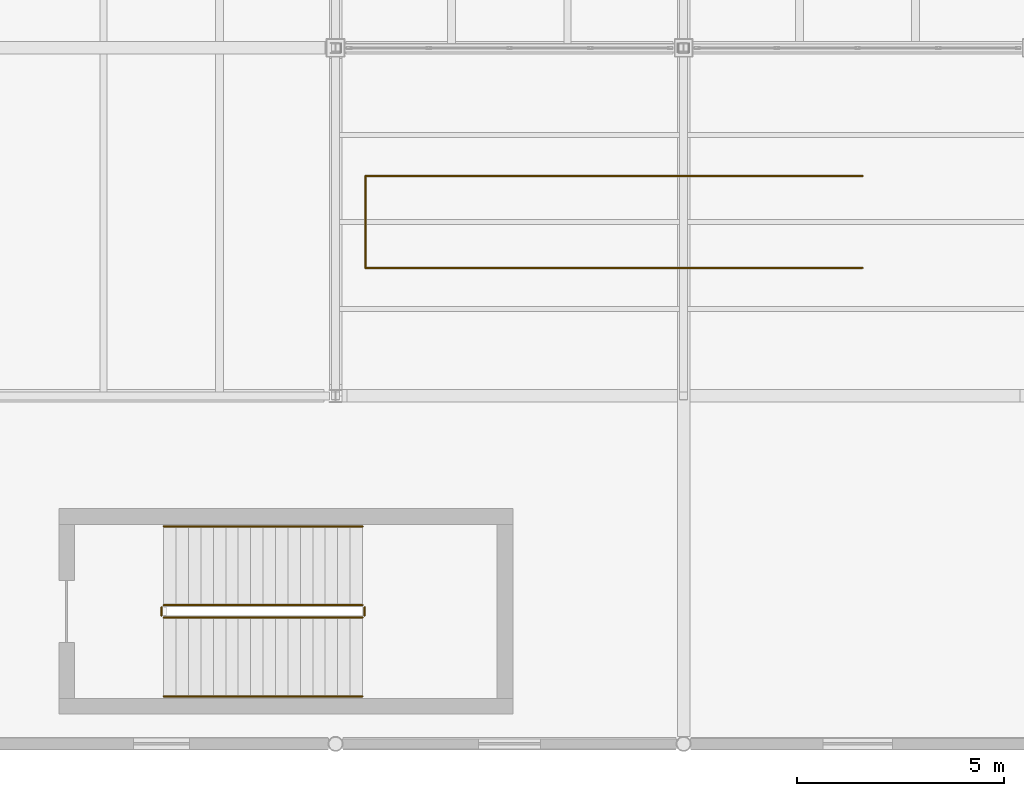
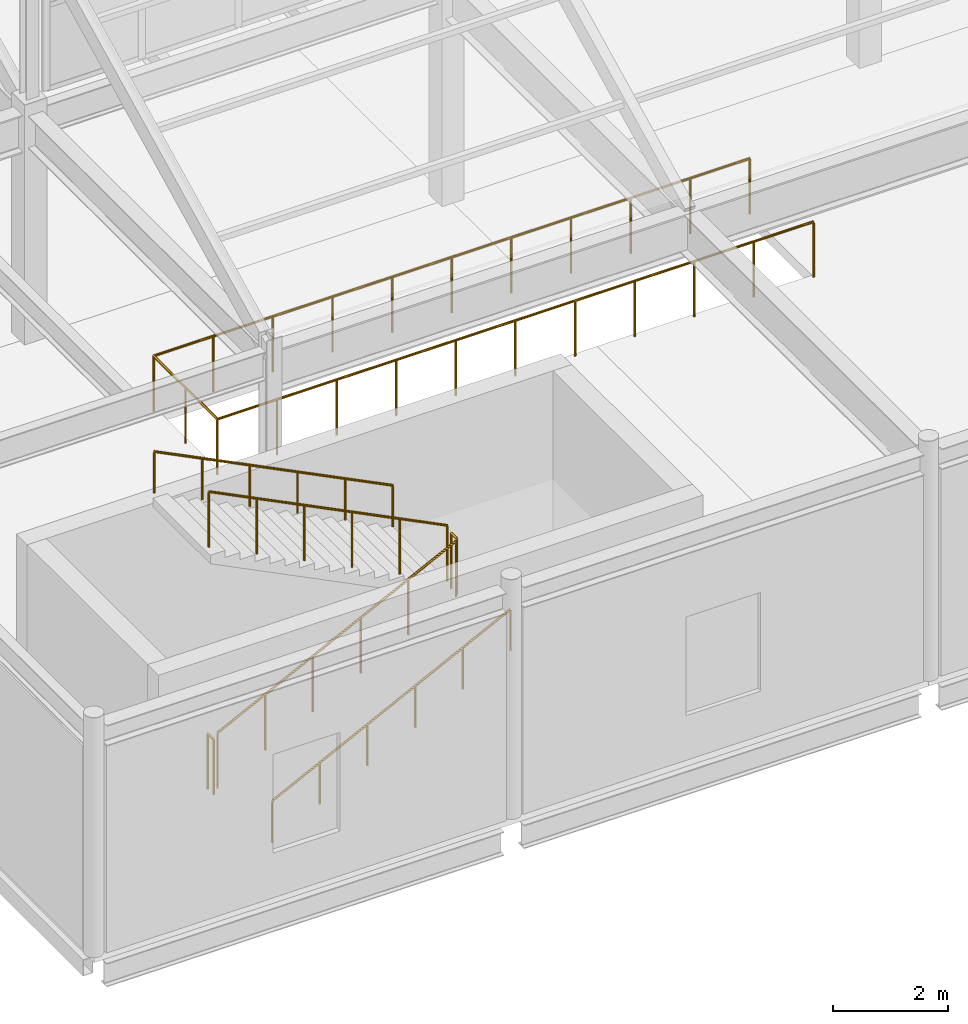
# One storey, part 82 of 91: 7 railings.
"""IFC4 building model written with IfcOpenShell, lengths in metres."""

from ifc_helpers import new_model, si_unit, direction, frame, origin, origin_2d, place, context, subcontext, project, spatial, circle, extrude, material, type_object, element, save


model = new_model("IFC4")

# Units and contexts
model_context = context("Model", 3, precision=1e-05, world=origin(), true_north=direction((0.0, 1.0)))
body_context = subcontext(model_context, "Body", "Model", "MODEL_VIEW")
ifc_project = project(units=[si_unit("LENGTHUNIT", "METRE"), si_unit("AREAUNIT", "SQUARE_METRE"), si_unit("VOLUMEUNIT", "CUBIC_METRE"), si_unit("PLANEANGLEUNIT", "RADIAN"), si_unit("MASSUNIT", "GRAM", prefix="KILO"), si_unit("THERMODYNAMICTEMPERATUREUNIT", "KELVIN")], contexts=[model_context])

# Site, building, storey
site_placement = place(None, origin())
site = spatial("IfcSite", under=ifc_project, at=site_placement, CompositionType="ELEMENT")
building_placement = place(site_placement, origin())
building = spatial("IfcBuilding", under=site, at=building_placement, Name="Lustrewick Department Store", CompositionType="ELEMENT")
storey_placement = place(building_placement, frame((0.0, 0.0, 21.60009765625)))
storey = spatial("IfcBuildingStorey", under=building, at=storey_placement, Name="L05", CompositionType="ELEMENT", Elevation=21.60009765625)

# Railings
ifc_material_1 = material(Name="Laminated safety glass and bronze atrium balustrade", Category="glass")
railing_type_1 = type_object("IfcRailingType", Name="RL-BAL", PredefinedType="BALUSTRADE", material=ifc_material_1)
railing_1_placement = place(storey_placement, frame((138.719970703125, 28.2900390625, 0.0)))
element("IfcRailing", 1, at=railing_1_placement, inside=storey, type_object=railing_type_1, Name="L05 Feature Stair AST04 Well Balustrade", PredefinedType="BALUSTRADE", context=body_context, shape_type="SweptSolid", body=[
    extrude(circle(Radius=0.02392578125, at=origin_2d()), frame((0.0, 0.0, 1.17578125), z_axis=(-1.0, 0.0, 0.0), x_axis=(0.0, -1.0, 0.0)), (0.0, 0.0, 1.0), 12.0),
    extrude(circle(Radius=0.02392578125, at=origin_2d()), frame((-12.0, 0.0, 1.17578125), z_axis=(0.0, 1.0, 0.0), x_axis=(-1.0, 0.0, 0.0)), (0.0, 0.0, 1.0), 2.219970703125),
    extrude(circle(Radius=0.02392578125, at=origin_2d()), frame((-12.0, 2.219970703125, 1.17578125), z_axis=(1.0, 0.0, 0.0), x_axis=(0.0, 1.0, 0.0)), (0.0, 0.0, 1.0), 12.0),
    extrude(circle(Radius=0.02099609375, at=origin_2d()), origin(), (0.0, 0.0, 1.0), 1.15185546875),
    extrude(circle(Radius=0.02099609375, at=origin_2d()), frame((-1.199951171875, 0.0, 0.0)), (0.0, 0.0, 1.0), 1.15185546875),
    extrude(circle(Radius=0.02099609375, at=origin_2d()), frame((-2.39990234375, 0.0, 0.0)), (0.0, 0.0, 1.0), 1.15185546875),
    extrude(circle(Radius=0.02099609375, at=origin_2d()), frame((-3.60009765625, 0.0, 0.0)), (0.0, 0.0, 1.0), 1.15185546875),
    extrude(circle(Radius=0.02099609375, at=origin_2d()), frame((-4.800048828125, 0.0, 0.0)), (0.0, 0.0, 1.0), 1.15185546875),
    extrude(circle(Radius=0.02099609375, at=origin_2d()), frame((-6.0, 0.0, 0.0)), (0.0, 0.0, 1.0), 1.15185546875),
    extrude(circle(Radius=0.02099609375, at=origin_2d()), frame((-7.199951171875, 0.0, 0.0)), (0.0, 0.0, 1.0), 1.15185546875),
    extrude(circle(Radius=0.02099609375, at=origin_2d()), frame((-8.39990234375, 0.0, 0.0)), (0.0, 0.0, 1.0), 1.15185546875),
    extrude(circle(Radius=0.02099609375, at=origin_2d()), frame((-9.60009765625, 0.0, 0.0)), (0.0, 0.0, 1.0), 1.15185546875),
    extrude(circle(Radius=0.02099609375, at=origin_2d()), frame((-10.800048828125, 0.0, 0.0)), (0.0, 0.0, 1.0), 1.15185546875),
    extrude(circle(Radius=0.02099609375, at=origin_2d()), frame((-12.0, 0.0, 0.0)), (0.0, 0.0, 1.0), 1.15185546875),
    extrude(circle(Radius=0.02099609375, at=origin_2d()), frame((-12.0, 1.10986328125, 0.0)), (0.0, 0.0, 1.0), 1.15185546875),
    extrude(circle(Radius=0.02099609375, at=origin_2d()), frame((-12.0, 2.219970703125, 0.0)), (0.0, 0.0, 1.0), 1.15185546875),
    extrude(circle(Radius=0.02099609375, at=origin_2d()), frame((-10.800048828125, 2.219970703125, 0.0)), (0.0, 0.0, 1.0), 1.15185546875),
    extrude(circle(Radius=0.02099609375, at=origin_2d()), frame((-9.60009765625, 2.219970703125, 0.0)), (0.0, 0.0, 1.0), 1.15185546875),
    extrude(circle(Radius=0.02099609375, at=origin_2d()), frame((-8.39990234375, 2.219970703125, 0.0)), (0.0, 0.0, 1.0), 1.15185546875),
    extrude(circle(Radius=0.02099609375, at=origin_2d()), frame((-7.199951171875, 2.219970703125, 0.0)), (0.0, 0.0, 1.0), 1.15185546875),
    extrude(circle(Radius=0.02099609375, at=origin_2d()), frame((-6.0, 2.219970703125, 0.0)), (0.0, 0.0, 1.0), 1.15185546875),
    extrude(circle(Radius=0.02099609375, at=origin_2d()), frame((-4.800048828125, 2.219970703125, 0.0)), (0.0, 0.0, 1.0), 1.15185546875),
    extrude(circle(Radius=0.02099609375, at=origin_2d()), frame((-3.60009765625, 2.219970703125, 0.0)), (0.0, 0.0, 1.0), 1.15185546875),
    extrude(circle(Radius=0.02099609375, at=origin_2d()), frame((-2.39990234375, 2.219970703125, 0.0)), (0.0, 0.0, 1.0), 1.15185546875),
    extrude(circle(Radius=0.02099609375, at=origin_2d()), frame((-1.199951171875, 2.219970703125, 0.0)), (0.0, 0.0, 1.0), 1.15185546875),
    extrude(circle(Radius=0.02099609375, at=origin_2d()), frame((0.0, 2.219970703125, 0.0)), (0.0, 0.0, 1.0), 1.15185546875),
])
ifc_material_2 = material(Name="Painted tubular steel stairwell guardrail", Category="steel")
railing_type_2 = type_object("IfcRailingType", Name="RL-STG", PredefinedType="GUARDRAIL", material=ifc_material_2)
railing_2_placement = place(storey_placement, frame((121.85009765625, 19.85009765625, 0.14990234375)))
element("IfcRailing", 2, at=railing_2_placement, inside=storey, type_object=railing_type_2, Name="L05 ST07 Stair Guard 1", PredefinedType="GUARDRAIL", context=body_context, shape_type="SweptSolid", body=[
    extrude(circle(Radius=0.02392578125, at=origin_2d()), frame((0.0, 0.0, 1.17578125), z_axis=(0.894427191, 0.0, 0.4472135955), x_axis=(0.0, 1.0, 0.0)), (0.0, 0.0, 1.0), 5.366455078125),
    extrude(circle(Radius=0.02099609375, at=origin_2d()), origin(), (0.0, 0.0, 1.0), 1.15185546875),
    extrude(circle(Radius=0.02099609375, at=origin_2d()), frame((0.9599609375, 0.0, 0.47998046875)), (0.0, 0.0, 1.0), 1.15185546875),
    extrude(circle(Radius=0.02099609375, at=origin_2d()), frame((1.919921875, 0.0, 0.9599609375)), (0.0, 0.0, 1.0), 1.15185546875),
    extrude(circle(Radius=0.02099609375, at=origin_2d()), frame((2.8798828125, 0.0, 1.43994140625)), (0.0, 0.0, 1.0), 1.15185546875),
    extrude(circle(Radius=0.02099609375, at=origin_2d()), frame((3.83984375, 0.0, 1.919921875)), (0.0, 0.0, 1.0), 1.15185546875),
    extrude(circle(Radius=0.02099609375, at=origin_2d()), frame((4.7998046875, 0.0, 2.39990234375)), (0.0, 0.0, 1.0), 1.15185546875),
])
railing_3_placement = place(storey_placement, frame((126.699951171875, 19.89990234375, 2.5498046875)))
element("IfcRailing", 3, at=railing_3_placement, inside=storey, type_object=railing_type_2, Name="L05 ST07 Stair Guard 2", PredefinedType="GUARDRAIL", context=body_context, shape_type="SweptSolid", body=[
    extrude(circle(Radius=0.02392578125, at=origin_2d()), frame((0.0, 0.0, 1.17578125), z_axis=(0.0, 1.0, 0.0), x_axis=(-1.0, 0.0, 0.0)), (0.0, 0.0, 1.0), 0.2001953125),
    extrude(circle(Radius=0.02099609375, at=origin_2d()), origin(), (0.0, 0.0, 1.0), 1.15185546875),
    extrude(circle(Radius=0.02099609375, at=origin_2d()), frame((0.0, 0.2001953125, 0.0)), (0.0, 0.0, 1.0), 1.15185546875),
])
railing_4_placement = place(storey_placement, frame((126.64990234375, 20.14990234375, 2.699951171875)))
element("IfcRailing", 4, at=railing_4_placement, inside=storey, type_object=railing_type_2, Name="L05 ST07 Stair Guard 3", PredefinedType="GUARDRAIL", context=body_context, shape_type="SweptSolid", body=[
    extrude(circle(Radius=0.02392578125, at=origin_2d()), frame((0.0, 0.0, 1.17578125), z_axis=(-0.894427191, 0.0, 0.4472135955), x_axis=(0.0, -1.0, 0.0)), (0.0, 0.0, 1.0), 5.366455078125),
    extrude(circle(Radius=0.02099609375, at=origin_2d()), origin(), (0.0, 0.0, 1.0), 1.15185546875),
    extrude(circle(Radius=0.02099609375, at=origin_2d()), frame((-0.9599609375, 0.0, 0.47998046875)), (0.0, 0.0, 1.0), 1.15185546875),
    extrude(circle(Radius=0.02099609375, at=origin_2d()), frame((-1.919921875, 0.0, 0.9599609375)), (0.0, 0.0, 1.0), 1.15185546875),
    extrude(circle(Radius=0.02099609375, at=origin_2d()), frame((-2.8798828125, 0.0, 1.43994140625)), (0.0, 0.0, 1.0), 1.15185546875),
    extrude(circle(Radius=0.02099609375, at=origin_2d()), frame((-3.83984375, 0.0, 1.919921875)), (0.0, 0.0, 1.0), 1.15185546875),
    extrude(circle(Radius=0.02099609375, at=origin_2d()), frame((-4.7998046875, 0.0, 2.39990234375)), (0.0, 0.0, 1.0), 1.15185546875),
])
railing_5_placement = place(storey_placement, frame((121.800048828125, 19.89990234375, 0.0)))
element("IfcRailing", 5, at=railing_5_placement, inside=storey, type_object=railing_type_2, Name="L05 ST07 Stair Guard 4", PredefinedType="GUARDRAIL", context=body_context, shape_type="SweptSolid", body=[
    extrude(circle(Radius=0.02392578125, at=origin_2d()), frame((0.0, 0.0, 1.17578125), z_axis=(0.0, 1.0, 0.0), x_axis=(-1.0, 0.0, 0.0)), (0.0, 0.0, 1.0), 0.2001953125),
    extrude(circle(Radius=0.02099609375, at=origin_2d()), origin(), (0.0, 0.0, 1.0), 1.15185546875),
    extrude(circle(Radius=0.02099609375, at=origin_2d()), frame((0.0, 0.2001953125, 0.0)), (0.0, 0.0, 1.0), 1.15185546875),
])
ifc_material_3 = material(Name="Brushed stainless steel wall handrail", Category="steel")
railing_type_3 = type_object("IfcRailingType", Name="RL-STH", PredefinedType="HANDRAIL", material=ifc_material_3)
railing_6_placement = place(storey_placement, frame((121.85009765625, 17.949951171875, 0.14990234375)))
element("IfcRailing", 6, at=railing_6_placement, inside=storey, type_object=railing_type_3, Name="L05 ST07 Stair Handrail 1", PredefinedType="HANDRAIL", context=body_context, shape_type="SweptSolid", body=[
    extrude(circle(Radius=0.02392578125, at=origin_2d()), frame((0.0, 0.0, 0.8759765625), z_axis=(0.894427191, 0.0, 0.4472135955), x_axis=(0.0, 1.0, 0.0)), (0.0, 0.0, 1.0), 5.366455078125),
    extrude(circle(Radius=0.02099609375, at=origin_2d()), origin(), (0.0, 0.0, 1.0), 0.851806640625),
    extrude(circle(Radius=0.02099609375, at=origin_2d()), frame((0.9599609375, 0.0, 0.47998046875)), (0.0, 0.0, 1.0), 0.851806640625),
    extrude(circle(Radius=0.02099609375, at=origin_2d()), frame((1.919921875, 0.0, 0.9599609375)), (0.0, 0.0, 1.0), 0.851806640625),
    extrude(circle(Radius=0.02099609375, at=origin_2d()), frame((2.8798828125, 0.0, 1.43994140625)), (0.0, 0.0, 1.0), 0.851806640625),
    extrude(circle(Radius=0.02099609375, at=origin_2d()), frame((3.83984375, 0.0, 1.919921875)), (0.0, 0.0, 1.0), 0.851806640625),
    extrude(circle(Radius=0.02099609375, at=origin_2d()), frame((4.7998046875, 0.0, 2.39990234375)), (0.0, 0.0, 1.0), 0.851806640625),
])
railing_7_placement = place(storey_placement, frame((126.64990234375, 22.050048828125, 2.699951171875)))
element("IfcRailing", 7, at=railing_7_placement, inside=storey, type_object=railing_type_3, Name="L05 ST07 Stair Handrail 2", PredefinedType="HANDRAIL", context=body_context, shape_type="SweptSolid", body=[
    extrude(circle(Radius=0.02392578125, at=origin_2d()), frame((0.0, 0.0, 0.8759765625), z_axis=(-0.894427191, 0.0, 0.4472135955), x_axis=(0.0, -1.0, 0.0)), (0.0, 0.0, 1.0), 5.366455078125),
    extrude(circle(Radius=0.02099609375, at=origin_2d()), origin(), (0.0, 0.0, 1.0), 0.851806640625),
    extrude(circle(Radius=0.02099609375, at=origin_2d()), frame((-0.9599609375, 0.0, 0.47998046875)), (0.0, 0.0, 1.0), 0.851806640625),
    extrude(circle(Radius=0.02099609375, at=origin_2d()), frame((-1.919921875, 0.0, 0.9599609375)), (0.0, 0.0, 1.0), 0.851806640625),
    extrude(circle(Radius=0.02099609375, at=origin_2d()), frame((-2.8798828125, 0.0, 1.43994140625)), (0.0, 0.0, 1.0), 0.851806640625),
    extrude(circle(Radius=0.02099609375, at=origin_2d()), frame((-3.83984375, 0.0, 1.919921875)), (0.0, 0.0, 1.0), 0.851806640625),
    extrude(circle(Radius=0.02099609375, at=origin_2d()), frame((-4.7998046875, 0.0, 2.39990234375)), (0.0, 0.0, 1.0), 0.851806640625),
])

save(model, "model.ifc")
